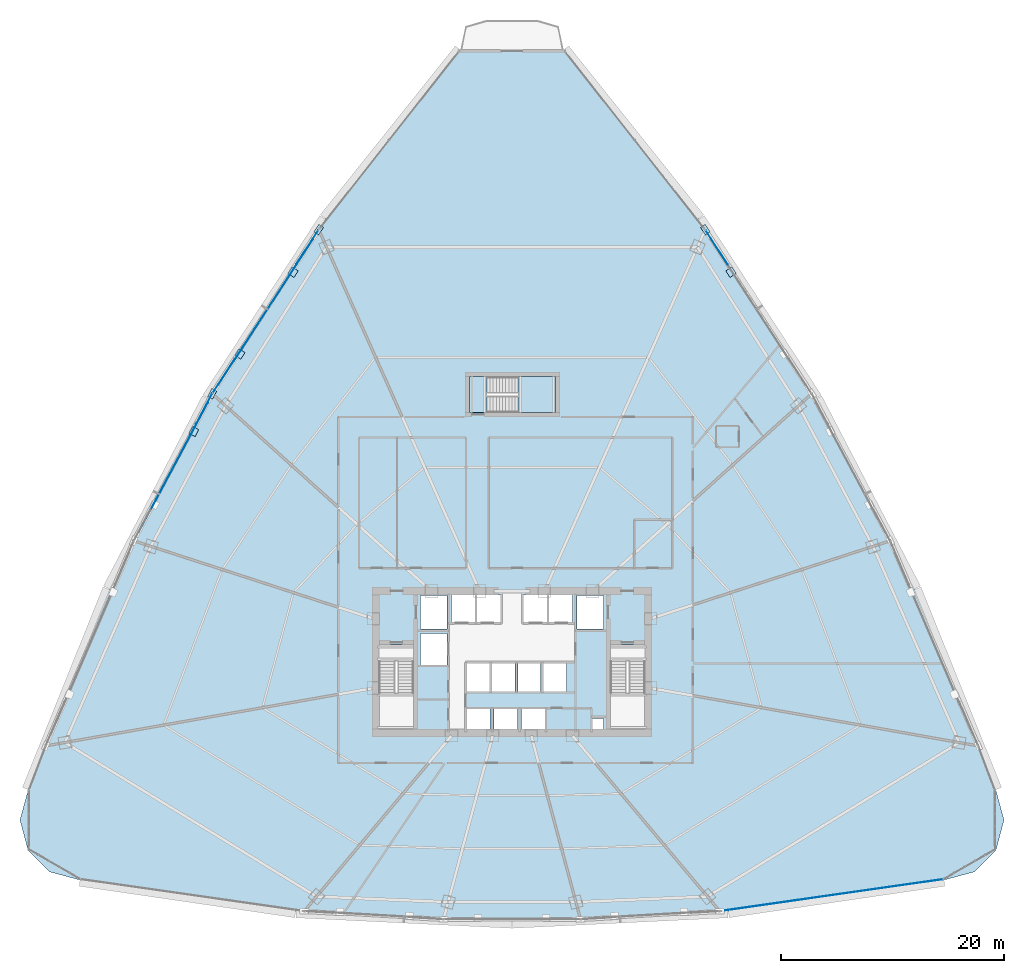
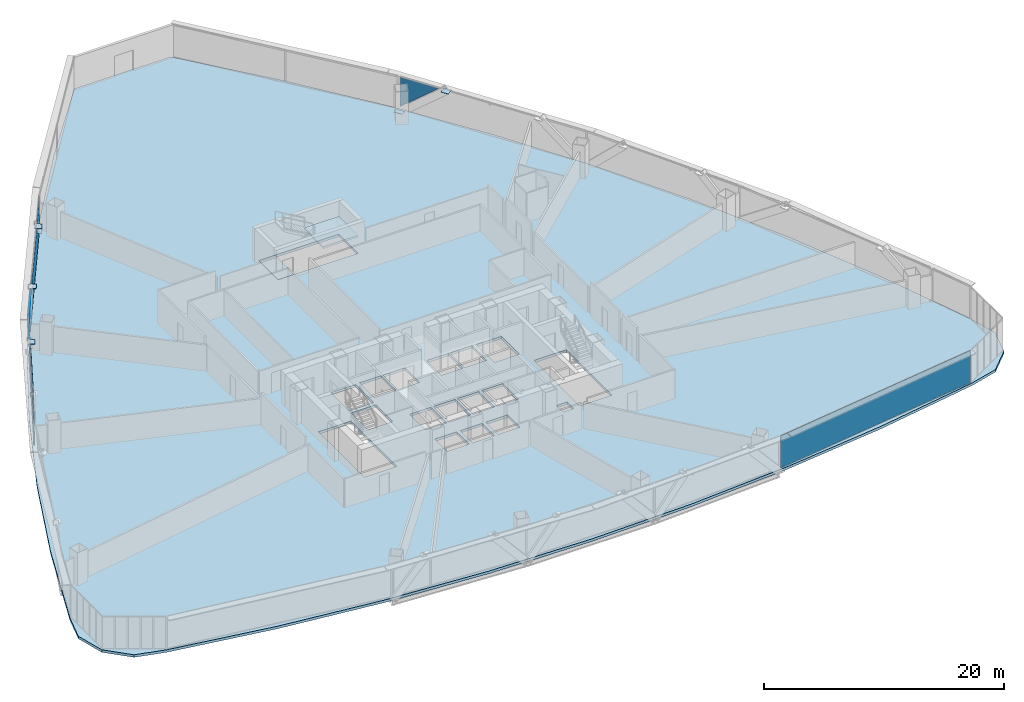
# One storey, part 32 of 42: 14 plates, 3 slabs, 5 elements without a shape of their own.
"""IFC4 building model written with IfcOpenShell, lengths in metres."""

from ifc_helpers import new_model, si_unit, direction, frame, origin, origin_2d, place, context, subcontext, project, spatial, polyline, rectangle, outline, extrude, source, transform, mapped, material, layer, layer_set, type_object, element, aggregate, save


model = new_model("IFC4")

# Units and contexts
model_context = context("Model", 3, precision=1e-05, world=origin(), true_north=direction((0.0, 1.0)))
body_context = subcontext(model_context, "Body", "Model", "MODEL_VIEW")
ifc_project = project(units=[si_unit("LENGTHUNIT", "METRE"), si_unit("AREAUNIT", "SQUARE_METRE"), si_unit("VOLUMEUNIT", "CUBIC_METRE"), si_unit("PLANEANGLEUNIT", "RADIAN"), si_unit("MASSUNIT", "GRAM", prefix="KILO"), si_unit("THERMODYNAMICTEMPERATUREUNIT", "KELVIN"), si_unit("POWERUNIT", "WATT")], contexts=[model_context])

# Site, building, storey
site_placement = place(None, origin())
site = spatial("IfcSite", under=ifc_project, at=site_placement, CompositionType="ELEMENT")
building_placement = place(site_placement, origin())
building = spatial("IfcBuilding", under=site, at=building_placement, Name="Yunzhuo Pagoda Commons", CompositionType="ELEMENT")
storey_placement = place(building_placement, frame((0.0, 0.0, 48.550048828125)))
storey = spatial("IfcBuildingStorey", under=building, at=storey_placement, Name="L12", CompositionType="ELEMENT", Elevation=48.550048828125)

# Curtain wall, plate
ifc_material_1 = material(Name="Anodized aluminium 6063-T6", Category="aluminium")
ifc_layer_1 = layer(ifc_material_1, 0.1650390625)
ifc_layer_set_1 = layer_set([ifc_layer_1], Name="Anodized aluminium 6063-T6")
curtain_wall_type = type_object("IfcCurtainWallType", Name="CW-LOW Low-Zone Ribbon Curtain Wall", PredefinedType="NOTDEFINED", material=ifc_layer_set_1)
curtain_wall_1_placement = place(storey_placement, origin())
curtain_wall_1 = element("IfcCurtainWall", 1, at=curtain_wall_1_placement, inside=storey, type_object=curtain_wall_type, Name="L12 curtain wall CW-L12-F2B4", PredefinedType="NOTDEFINED")
ifc_material_2 = material(Name="Tempered low-e double glazing", Category="glass")
ifc_layer_2 = layer(ifc_material_2, 0.028076171875)
ifc_layer_set_2 = layer_set([ifc_layer_2], Name="Tempered low-e double glazing")
plate_type_1 = type_object("IfcPlateType", Name="CW-LOW-P Low-E Double Glazing 28", PredefinedType="CURTAIN_PANEL", material=ifc_layer_set_2)
plate_1_placement = place(storey_placement, frame((66.322265625, 70.97705078125, 1.798583984375), z_axis=(0.838709783089, 0.54457864423, 0.0), x_axis=(-0.54457864423, 0.838709783089, 0.0)))
plate_1 = element("IfcPlate", 2, at=plate_1_placement, type_object=plate_type_1, Name="CW panel 1.1 lite 3", PredefinedType="CURTAIN_PANEL", context=body_context, shape_type="SweptSolid", body=[
    extrude(outline(polyline([(-1.82373046875, 1.51123046875), (1.82373046875, -1.51123046875), (1.82373046875, 1.51123046875), (-1.82373046875, 1.51123046875)])), origin(), (0.0, 0.0, 1.0), 0.028076171875),
])
aggregate(curtain_wall_1, [plate_1])

# Curtain wall, plates
curtain_wall_2_placement = place(storey_placement, origin())
curtain_wall_2 = element("IfcCurtainWall", 3, at=curtain_wall_2_placement, inside=storey, type_object=curtain_wall_type, Name="L12 curtain wall CW-L12-F3B2", PredefinedType="NOTDEFINED")
plate_2_placement = place(storey_placement, frame((29.677734375, 70.97705078125, 1.798583984375), z_axis=(-0.838709783089, 0.54457864423, 0.0), x_axis=(-0.54457864423, -0.838709783089, 0.0)))
plate_2 = element("IfcPlate", 4, at=plate_2_placement, type_object=plate_type_1, Name="CW panel 1.1 lite 1", PredefinedType="CURTAIN_PANEL", context=body_context, shape_type="SweptSolid", body=[
    extrude(outline(polyline([(-1.82373046875, -1.51123046875), (1.82373046875, 1.51123046875), (-1.82373046875, 1.51123046875), (-1.82373046875, -1.51123046875)])), origin(), (0.0, 0.0, 1.0), 0.028076171875),
])
plate_3_placement = place(storey_placement, frame((25.96044921875, 65.197265625, 1.68505859375), z_axis=(-0.838709783089, 0.54457864423, 0.0), x_axis=(-0.54457864423, -0.838709783089, 0.0)))
plate_3 = element("IfcPlate", 5, at=plate_3_placement, type_object=plate_type_1, Name="CW panel 1.1 lite 2", PredefinedType="CURTAIN_PANEL", context=body_context, shape_type="SweptSolid", body=[
    extrude(outline(polyline([(-7.779052734375, -1.625), (7.779052734375, -1.625), (3.857177734375, 1.625), (-3.857177734375, 1.625), (-7.779052734375, -1.625)])), origin(), (0.0, 0.0, 1.0), 0.028076171875),
])
plate_4_placement = place(storey_placement, frame((22.193115234375, 59.449951171875, 1.798583984375), z_axis=(-0.838709783089, 0.54457864423, 0.0), x_axis=(-0.54457864423, -0.838709783089, 0.0)))
plate_4 = element("IfcPlate", 6, at=plate_4_placement, type_object=plate_type_1, Name="CW panel 1.1 lite 3", PredefinedType="CURTAIN_PANEL", context=body_context, shape_type="SweptSolid", body=[
    extrude(outline(polyline([(-1.82373046875, 1.51123046875), (1.82373046875, -1.51123046875), (1.82373046875, 1.51123046875), (-1.82373046875, 1.51123046875)])), origin(), (0.0, 0.0, 1.0), 0.028076171875),
])
aggregate(curtain_wall_2, [plate_2, plate_3, plate_4])

curtain_wall_3_placement = place(storey_placement, origin())
curtain_wall_3 = element("IfcCurtainWall", 7, at=curtain_wall_3_placement, inside=storey, type_object=curtain_wall_type, Name="L12 curtain wall CW-L12-F3B3", PredefinedType="NOTDEFINED")
plate_5_placement = place(storey_placement, frame((20.41455078125, 56.459716796875, 1.821533203125), z_axis=(-0.88230916381, 0.470670308662, 0.0), x_axis=(-0.470670308662, -0.88230916381, 0.0)))
plate_5 = element("IfcPlate", 8, at=plate_5_placement, type_object=plate_type_1, Name="CW panel 1.1 lite 1", PredefinedType="CURTAIN_PANEL", context=body_context, shape_type="SweptSolid", body=[
    extrude(outline(polyline([(-1.52978515625, -1.48828125), (1.52978515625, 1.48828125), (-1.52978515625, 1.48828125), (-1.52978515625, -1.48828125)])), origin(), (0.0, 0.0, 1.0), 0.028076171875),
])
plate_6_placement = place(storey_placement, frame((17.679443359375, 51.268798828125, 1.68505859375), z_axis=(-0.88230916381, 0.470670308662, 0.0), x_axis=(-0.470670308662, -0.88230916381, 0.0)))
plate_6 = element("IfcPlate", 9, at=plate_6_placement, type_object=plate_type_1, Name="CW panel 1.1 lite 2", PredefinedType="CURTAIN_PANEL", context=body_context, shape_type="SweptSolid", body=[
    extrude(outline(polyline([(-6.58837890625, -1.625), (6.58837890625, -1.625), (3.247802734375, 1.625), (-3.247802734375, 1.625), (-6.58837890625, -1.625)])), origin(), (0.0, 0.0, 1.0), 0.028076171875),
])
aggregate(curtain_wall_3, [plate_5, plate_6])

# Stair, slabs
ifc_material_3 = material(Name="Concrete C40", Category="concrete")
stair_type = type_object("IfcStairType", Name="ST-C3 North Tower Smokeproof Stair ST3", PredefinedType="HALF_TURN_STAIR", material=ifc_material_3)
stair_placement = place(storey_placement, origin())
stair = element("IfcStair", 10, at=stair_placement, inside=storey, type_object=stair_type, Name="L12 North tower smokeproof stair ST3", PredefinedType="HALF_TURN_STAIR")
ifc_layer_3 = layer(ifc_material_3, 0.2041015625)
ifc_layer_set_3 = layer_set([ifc_layer_3], Name="Concrete C40")
slab_type_1 = type_object("IfcSlabType", Name="SL-LND5 North Landing Slab 204", PredefinedType="LANDING", material=ifc_layer_set_3)
slab_1_placement = place(storey_placement, frame((0.0, 0.0, 1.614990234375)))
slab_1 = element("IfcSlab", 11, at=slab_1_placement, type_object=slab_type_1, Name="ST3 landing 1", PredefinedType="LANDING", context=body_context, shape_type="SweptSolid", body=[
    extrude(outline(polyline([(48.550048828125, 56.199951171875), (51.89990234375, 56.199951171875), (51.89990234375, 59.39990234375), (48.550048828125, 59.39990234375), (48.550048828125, 56.199951171875)])), origin(), (0.0, 0.0, 1.0), 0.199951171875),
])
slab_2_placement = place(storey_placement, frame((0.0, 0.0, -0.199951171875)))
slab_2 = element("IfcSlab", 12, at=slab_2_placement, type_object=slab_type_1, Name="ST3 floor landing L12", PredefinedType="LANDING", context=body_context, shape_type="SweptSolid", body=[
    extrude(outline(polyline([(44.199951171875, 56.199951171875), (45.75, 56.199951171875), (45.75, 59.39990234375), (44.199951171875, 59.39990234375), (44.199951171875, 56.199951171875)])), origin(), (0.0, 0.0, 1.0), 0.199951171875),
])
aggregate(stair, [slab_1, slab_2])

# Slab
ifc_layer_4 = layer(ifc_material_3, 0.260009765625)
ifc_layer_set_4 = layer_set([ifc_layer_4], Name="Concrete C40")
slab_type_2 = type_object("IfcSlabType", Name="SL-TWR Typical Tower Floor Slab 260", PredefinedType="FLOOR", material=ifc_layer_set_4)
slab_3_placement = place(storey_placement, frame((0.0, 0.0, -0.260009765625)))
element("IfcSlab", 13, at=slab_3_placement, inside=storey, type_object=slab_type_2, Name="L12 structural floor slab", PredefinedType="FLOOR", context=body_context, shape_type="SweptSolid", body=[
    extrude(outline(polyline([(8.08349609375, 31.504150390625), (11.905517578125, 40.38671875), (16.134033203125, 49.031494140625), (20.76904296875, 57.439208984375), (25.81103515625, 65.609375), (31.259521484375, 73.542236328125), (37.11474609375, 81.237548828125), (43.376708984375, 88.695556640625), (52.623291015625, 88.695556640625), (58.88525390625, 81.237548828125), (64.740478515625, 73.542236328125), (70.18896484375, 65.609375), (75.23095703125, 57.439208984375), (79.865966796875, 49.031494140625), (84.094482421875, 40.38671875), (87.91650390625, 31.504150390625), (91.33154296875, 22.384521484375), (92.0615234375, 19.70458984375), (91.3505859375, 17.02001953125), (89.390380859375, 15.052490234375), (86.708251953125, 14.33203125), (77.031005859375, 12.683837890625), (67.35400390625, 11.506591796875), (57.677001953125, 10.80029296875), (48.0, 10.56494140625), (38.322998046875, 10.80029296875), (28.64599609375, 11.506591796875), (18.968994140625, 12.683837890625), (9.291748046875, 14.33203125), (6.609619140625, 15.052490234375), (4.6494140625, 17.02001953125), (3.9384765625, 19.70458984375), (4.66845703125, 22.384521484375), (8.08349609375, 31.504150390625)]), holes=[polyline([(46.050048828125, 27.60009765625), (46.050048828125, 29.64990234375), (43.949951171875, 29.64990234375), (43.949951171875, 27.60009765625), (46.050048828125, 27.60009765625)]), polyline([(48.5, 27.60009765625), (48.5, 29.64990234375), (46.39990234375, 29.64990234375), (46.39990234375, 27.60009765625), (48.5, 27.60009765625)]), polyline([(36.10009765625, 27.800048828125), (39.199951171875, 27.800048828125), (39.199951171875, 35.39990234375), (36.10009765625, 35.39990234375), (36.10009765625, 27.800048828125)]), polyline([(45.969970703125, 31.199951171875), (45.969970703125, 33.800048828125), (43.929931640625, 33.800048828125), (43.929931640625, 31.199951171875), (45.969970703125, 31.199951171875)]), polyline([(48.27001953125, 31.199951171875), (48.27001953125, 33.800048828125), (46.22998046875, 33.800048828125), (46.22998046875, 31.199951171875), (48.27001953125, 31.199951171875)]), polyline([(42.199951171875, 33.60009765625), (42.199951171875, 36.39990234375), (39.800048828125, 36.39990234375), (39.800048828125, 33.60009765625), (42.199951171875, 33.60009765625)]), polyline([(42.199951171875, 36.800048828125), (42.199951171875, 39.800048828125), (39.800048828125, 39.800048828125), (39.800048828125, 36.800048828125), (42.199951171875, 36.800048828125)]), polyline([(42.60009765625, 37.39990234375), (44.699951171875, 37.39990234375), (44.699951171875, 39.85009765625), (42.60009765625, 39.85009765625), (42.60009765625, 37.39990234375)]), polyline([(44.85009765625, 37.39990234375), (46.949951171875, 37.39990234375), (46.949951171875, 39.85009765625), (44.85009765625, 39.85009765625), (44.85009765625, 37.39990234375)]), polyline([(56.179931640625, 27.699951171875), (56.179931640625, 28.800048828125), (55.179931640625, 28.800048828125), (55.179931640625, 27.699951171875), (56.179931640625, 27.699951171875)]), polyline([(50.949951171875, 27.60009765625), (50.949951171875, 29.64990234375), (48.85009765625, 29.64990234375), (48.85009765625, 27.60009765625), (50.949951171875, 27.60009765625)]), polyline([(56.800048828125, 27.800048828125), (59.89990234375, 27.800048828125), (59.89990234375, 35.39990234375), (56.800048828125, 35.39990234375), (56.800048828125, 27.800048828125)]), polyline([(50.570068359375, 31.199951171875), (50.570068359375, 33.800048828125), (48.530029296875, 33.800048828125), (48.530029296875, 31.199951171875), (50.570068359375, 31.199951171875)]), polyline([(52.8701171875, 31.199951171875), (52.8701171875, 33.800048828125), (50.830078125, 33.800048828125), (50.830078125, 31.199951171875), (52.8701171875, 31.199951171875)]), polyline([(56.199951171875, 36.800048828125), (56.199951171875, 39.800048828125), (53.800048828125, 39.800048828125), (53.800048828125, 36.800048828125), (56.199951171875, 36.800048828125)]), polyline([(51.14990234375, 37.39990234375), (51.14990234375, 39.85009765625), (49.050048828125, 39.85009765625), (49.050048828125, 37.39990234375), (51.14990234375, 37.39990234375)]), polyline([(51.300048828125, 37.39990234375), (53.39990234375, 37.39990234375), (53.39990234375, 39.85009765625), (51.300048828125, 39.85009765625), (51.300048828125, 37.39990234375)]), polyline([(44.199951171875, 56.199951171875), (51.89990234375, 56.199951171875), (51.89990234375, 59.39990234375), (44.199951171875, 59.39990234375), (44.199951171875, 56.199951171875)])]), origin(), (0.0, 0.0, 1.0), 0.260009765625),
])

# Plates
ifc_material_4 = material(Name="Structural steel Q355B", Category="steel")
ifc_layer_5 = layer(ifc_material_4, 0.028076171875)
ifc_layer_set_5 = layer_set([ifc_layer_5], Name="Structural steel Q355B")
plate_type_2 = type_object("IfcPlateType", Name="SP-ND1 Lattice Node Cap Plate 800x500x28", PredefinedType="USERDEFINED", material=ifc_layer_set_5)
shared_shape_1 = source(origin(), body_context, "Body", "SweptSolid", [
    extrude(rectangle(XDim=0.800048828125, YDim=0.5, at=origin_2d()), origin(), (0.0, 0.0, 1.0), 0.028076171875),
])
for number, where, z_axis, x_axis, name in (
    (14, (65.305419921875, 72.56884765625, -0.27392578125), (0.0, 0.0, 1.0), (-0.544580483437, 0.838708588879, 0.0), "L12 diamond node plate F2.3B"),
    (15, (30.694580078125, 72.56884765625, -0.27392578125), (0.0, 0.0, 1.0), (-0.544580483437, -0.838708588879, 0.0), "L12 diamond node plate F3.1A"),
    (16, (21.152587890625, 57.873291015625, -0.27392578125), (0.0, 0.0, 1.0), (-0.470673134105, -0.882307656564, 0.0), "L12 diamond node plate F3.2A"),
):
    element("IfcPlate", number, at=place(storey_placement, frame(where, z_axis=z_axis, x_axis=x_axis)), inside=storey, type_object=plate_type_2, Name=name, ObjectType="STIFFENER_PLATE", PredefinedType="USERDEFINED", context=body_context, shape_type="MappedRepresentation", body=[
        mapped(shared_shape_1, transform((0.0, 0.0, 0.0), scale=1.0)),
    ])
shared_shape_2 = source(origin(), body_context, "Body", "SweptSolid", [
    extrude(rectangle(XDim=0.699951171875, YDim=0.627197265625, at=origin_2d()), origin(), (0.0, 0.0, 1.0), 0.035888671875),
])
plate_7_placement = place(storey_placement, frame((19.508544921875, 54.5, 3.33203125), z_axis=(0.0, 0.0, 1.0), x_axis=(-0.470673134105, -0.882307656564, 0.0)))
element("IfcPlate", 17, at=plate_7_placement, inside=storey, type_object=plate_type_2, Name="L12 setback lattice tie plate F3.2L", ObjectType="STIFFENER_PLATE", PredefinedType="USERDEFINED", context=body_context, shape_type="MappedRepresentation", body=[
    mapped(shared_shape_2, transform((0.0, 0.0, 0.0), scale=1.0)),
])
shared_shape_3 = source(origin(), body_context, "Body", "SweptSolid", [
    extrude(rectangle(XDim=0.699951171875, YDim=0.63818359375, at=origin_2d()), origin(), (0.0, 0.0, 1.0), 0.035888671875),
])
plate_8_placement = place(storey_placement, frame((23.63330078125, 61.43896484375, 3.33203125), z_axis=(0.0, 0.0, 1.0), x_axis=(-0.544580483437, -0.838708588879, 0.0)))
element("IfcPlate", 18, at=plate_8_placement, inside=storey, type_object=plate_type_2, Name="L12 setback lattice tie plate F3.1R", ObjectType="STIFFENER_PLATE", PredefinedType="USERDEFINED", context=body_context, shape_type="MappedRepresentation", body=[
    mapped(shared_shape_3, transform((0.0, 0.0, 0.0), scale=1.0)),
])
shared_shape_4 = source(origin(), body_context, "Body", "SweptSolid", [
    extrude(rectangle(XDim=0.699951171875, YDim=0.662353515625, at=origin_2d()), origin(), (0.0, 0.0, 1.0), 0.035888671875),
])
for number, where, z_axis, x_axis, name in (
    (19, (67.614501953125, 68.7587890625, 3.33203125), (0.0, 0.0, 1.0), (-0.544580483437, 0.838708588879, 0.0), "L12 setback lattice tie plate F2.3R"),
    (20, (28.385498046875, 68.7587890625, 3.33203125), (0.0, 0.0, 1.0), (-0.544580483437, -0.838708588879, 0.0), "L12 setback lattice tie plate F3.1L"),
):
    element("IfcPlate", number, at=place(storey_placement, frame(where, z_axis=z_axis, x_axis=x_axis)), inside=storey, type_object=plate_type_2, Name=name, ObjectType="STIFFENER_PLATE", PredefinedType="USERDEFINED", context=body_context, shape_type="MappedRepresentation", body=[
        mapped(shared_shape_4, transform((0.0, 0.0, 0.0), scale=1.0)),
    ])

# Curtain wall, plate
curtain_wall_4_placement = place(storey_placement, origin())
curtain_wall_4 = element("IfcCurtainWall", 21, at=curtain_wall_4_placement, inside=storey, type_object=curtain_wall_type, Name="L12 curtain wall CW-L12-F1B5", PredefinedType="NOTDEFINED")
shared_shape_5 = source(origin(), body_context, "Body", "SweptSolid", [
    extrude(rectangle(XDim=20.06689453125, YDim=0.028076171875, at=origin_2d()), origin(), (0.0, 0.0, 1.0), 3.25),
])
plate_9_placement = place(storey_placement, frame((76.67138671875, 12.972412109375, 0.06005859375), z_axis=(0.0, 0.0, 1.0), x_axis=(0.989939291447, 0.141492753346, 0.0)))
plate_9 = element("IfcPlate", 22, at=plate_9_placement, type_object=plate_type_1, Name="CW panel 1.1", PredefinedType="CURTAIN_PANEL", context=body_context, shape_type="MappedRepresentation", body=[
    mapped(shared_shape_5, transform((0.0, 0.0, 0.0), scale=1.0)),
])
aggregate(curtain_wall_4, [plate_9])

save(model, "model.ifc")
